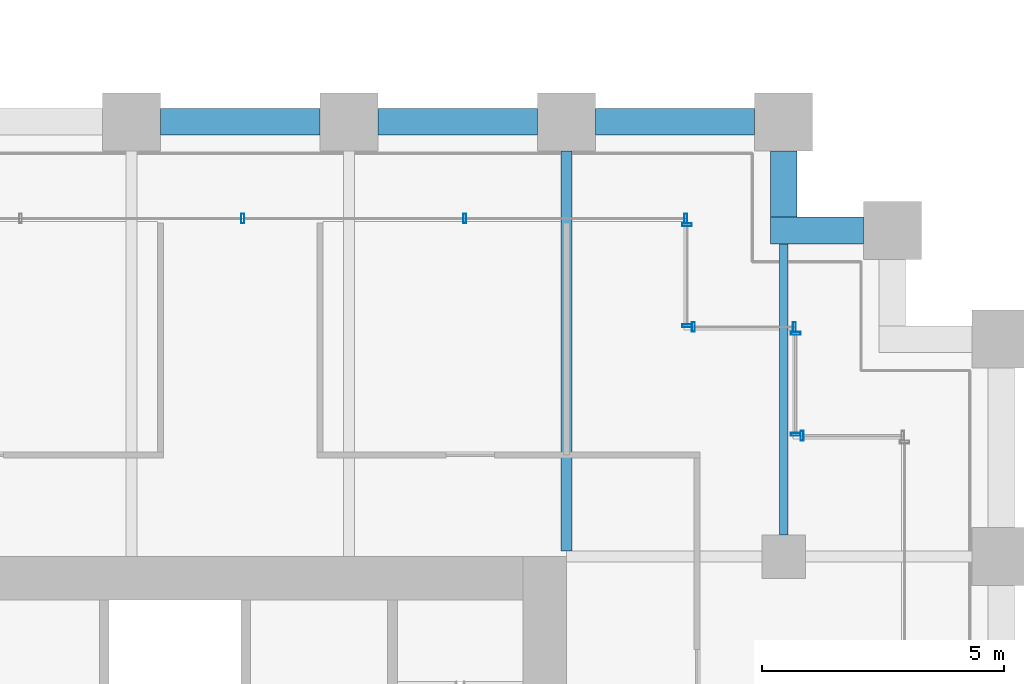
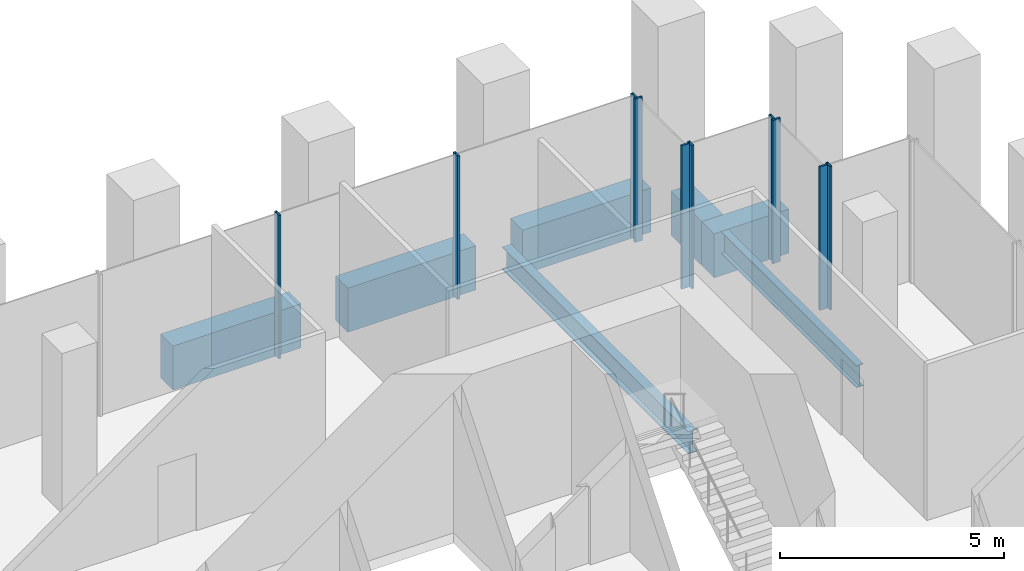
# One storey, part 25 of 36: 10 members, 7 beams, 5 elements without a shape of their own.
"""IFC4 building model written with IfcOpenShell, lengths in metres."""

import ifcopenshell
import ifcopenshell.guid

model = None  # the IFC model being written
_history = None  # IfcOwnerHistory: only IFC2X3 demands one
_inside = {}  # id of a spatial element -> (the spatial element, [elements in it])
_under = {}  # id of a project, library or spatial element -> (it, [spatial elements below it])
_declared = {}  # id of a project -> (the project, [libraries it declares])
_typed = {}  # id of a type object -> (the type object, [elements of that type])
_made_of = {}  # id of a material, layer set ... -> (it, [elements and type objects made of it])


def new_model(schema):
    """Start an empty IFC model of exactly this schema.

    Asked for "IFC4X3", IfcOpenShell would pick the latest addendum, in which some entities
    have other attributes; the version numbers below select the first issue.
    IFC2X3 requires an IfcOwnerHistory on every rooted entity: one is made here for all.
    """
    global model, _history
    if schema == "IFC4X3":
        model = ifcopenshell.file(schema_version=(4, 3, 0, 0))
    else:
        model = ifcopenshell.file(schema=schema)
    _inside.clear()
    _under.clear()
    _declared.clear()
    _typed.clear()
    _made_of.clear()
    _history = None
    if model.schema == "IFC2X3":
        org = make("IfcOrganization", Name="unknown")
        user = make(
            "IfcPersonAndOrganization",
            ThePerson=make("IfcPerson", FamilyName="unknown"),
            TheOrganization=org,
        )
        app = make(
            "IfcApplication",
            ApplicationDeveloper=org,
            Version="unknown",
            ApplicationFullName="unknown",
            ApplicationIdentifier="unknown",
        )
        _history = make(
            "IfcOwnerHistory",
            OwningUser=user,
            OwningApplication=app,
            ChangeAction="ADDED",
            CreationDate=0,
        )
    return model


def make(cls, **values):
    """One entity of the class cls with the attributes given. An attribute that is None is left unset."""
    return model.create_entity(
        cls, **{name: value for name, value in values.items() if value is not None}
    )


def rooted(cls, **values):
    """An entity with a GlobalId (a new one), such as an element, a storey or a relation."""
    return make(cls, GlobalId=ifcopenshell.guid.new(), OwnerHistory=_history, **values)


def si_unit(unit_type, name, prefix=None):
    """IfcSIUnit, for example si_unit("LENGTHUNIT", "METRE", prefix="MILLI")."""
    return make("IfcSIUnit", UnitType=unit_type, Prefix=prefix, Name=name)


def assignment(units):
    """IfcUnitAssignment: the units of a project."""
    return None if units is None else make("IfcUnitAssignment", Units=units)


def point(xyz):
    """IfcCartesianPoint."""
    return None if xyz is None else make("IfcCartesianPoint", Coordinates=xyz)


def direction(xyz):
    """IfcDirection."""
    return None if xyz is None else make("IfcDirection", DirectionRatios=xyz)


def frame(location, z_axis=None, x_axis=None):
    """IfcAxis2Placement3D, a coordinate frame: its origin and axes. An axis left out is left unset."""
    return make(
        "IfcAxis2Placement3D",
        Location=point(location),
        Axis=direction(z_axis),
        RefDirection=direction(x_axis),
    )


def frame_2d(location, x_axis=None):
    """IfcAxis2Placement2D, a coordinate frame in the plane: its origin and x axis."""
    return make(
        "IfcAxis2Placement2D", Location=point(location), RefDirection=direction(x_axis)
    )


def origin():
    """The frame at (0, 0, 0) with its axes left unset."""
    return frame((0.0, 0.0, 0.0))


def origin_2d():
    """The frame at (0, 0) in the plane with its x axis left unset."""
    return frame_2d((0.0, 0.0))


def place(relative_to, where):
    """IfcLocalPlacement: puts the frame where relative to a parent placement (None: the world)."""
    return make(
        "IfcLocalPlacement", PlacementRelTo=relative_to, RelativePlacement=where
    )


def context(
    kind, dimensions, precision=None, world=None, true_north=None, identifier=None
):
    """IfcGeometricRepresentationContext, for example the 3D "Model" context."""
    return make(
        "IfcGeometricRepresentationContext",
        ContextIdentifier=identifier,
        ContextType=kind,
        CoordinateSpaceDimension=dimensions,
        Precision=precision,
        WorldCoordinateSystem=world,
        TrueNorth=true_north,
    )


def subcontext(parent, identifier, kind, view, scale=None):
    """IfcGeometricRepresentationSubContext, for example "Body" below "Model"."""
    return make(
        "IfcGeometricRepresentationSubContext",
        ContextIdentifier=identifier,
        ContextType=kind,
        ParentContext=parent,
        TargetScale=scale,
        TargetView=view,
    )


def project(units=None, contexts=None):
    """IfcProject with its units and contexts."""
    return rooted(
        "IfcProject",
        Name="project",
        RepresentationContexts=contexts,
        UnitsInContext=assignment(units),
    )


def spatial(cls, under=None, at=None, **own):
    """A site, building, storey or space (cls), placed at a placement, below another one or the project."""
    s = rooted(cls, ObjectPlacement=at, **own)
    if under is not None:
        _under.setdefault(under.id(), (under, []))[1].append(s)
    return s


def profile(cls, at=None, kind="AREA", **sizes):
    """A parametric profile (cls). Its sizes go by their IFC names, for example OverallWidth=200.0."""
    return make(cls, ProfileType=kind, Position=at, **sizes)


def rectangle(**sizes):
    """IfcRectangleProfileDef."""
    return profile("IfcRectangleProfileDef", **sizes)


def hollow_rectangle(**sizes):
    """IfcRectangleHollowProfileDef."""
    return profile("IfcRectangleHollowProfileDef", **sizes)


def i_section(**sizes):
    """IfcIShapeProfileDef."""
    return profile("IfcIShapeProfileDef", **sizes)


def extrude(swept, where, along, depth):
    """IfcExtrudedAreaSolid: the profile swept, set in the frame where, extruded along a direction by depth."""
    return make(
        "IfcExtrudedAreaSolid",
        SweptArea=swept,
        Position=where,
        ExtrudedDirection=direction(along),
        Depth=depth,
    )


def shape(context_of_items, identifier, shape_type, items):
    """IfcShapeRepresentation: the items that make up one representation, for example the "Body"."""
    return make(
        "IfcShapeRepresentation",
        ContextOfItems=context_of_items,
        RepresentationIdentifier=identifier,
        RepresentationType=shape_type,
        Items=items,
    )


def material(Name=None, Category=None):
    """IfcMaterial."""
    return make("IfcMaterial", Name=Name, Category=Category)


def material_profile(
    of_material, cross_section, Name=None, Category=None, Priority=None
):
    """IfcMaterialProfile: a cross section and its material."""
    return make(
        "IfcMaterialProfile",
        Name=Name,
        Material=of_material,
        Profile=cross_section,
        Priority=Priority,
        Category=Category,
    )


def profile_set(profiles, Name=None, composite=None):
    """IfcMaterialProfileSet."""
    return make(
        "IfcMaterialProfileSet",
        Name=Name,
        MaterialProfiles=profiles,
        CompositeProfile=composite,
    )


def made_of(thing, what):
    """Note that an element or type object is made of a material, layer set ...; save() writes the relation."""
    if what is not None:
        _made_of.setdefault(what.id(), (what, []))[1].append(thing)
    return thing


def type_object(cls, material=None, **own):
    """A type object (cls), such as IfcWallType, which elements share."""
    return made_of(rooted(cls, **own), material)


def element(
    cls,
    number,
    at=None,
    inside=None,
    cuts=None,
    type_object=None,
    material=None,
    context=None,
    identifier="Body",
    shape_type=None,
    held_by="IfcProductDefinitionShape",
    body=None,
    shapes=None,
    **own,
):
    """One element of the class cls, such as IfcWall. Its Tag is "e" and its number.

    at: its placement. inside: the storey or other place that contains it. cuts: it is an
    opening in that element (IfcRelVoidsElement). A single representation is given by context,
    identifier, shape_type and body (its items); several are given by shapes. held_by: the class
    of the entity that holds the representations. save() writes the other relations.
    """
    e = rooted(cls, Tag="e%d" % number, ObjectPlacement=at, **own)
    if body is not None:
        shapes = [shape(context, identifier, shape_type, body)]
    if shapes is not None:
        e.Representation = make(held_by, Representations=shapes)
    if inside is not None:
        _inside.setdefault(inside.id(), (inside, []))[1].append(e)
    if cuts is not None:
        rooted(
            "IfcRelVoidsElement", RelatingBuildingElement=cuts, RelatedOpeningElement=e
        )
    if type_object is not None:
        _typed.setdefault(type_object.id(), (type_object, []))[1].append(e)
    return made_of(e, material)


def aggregate(whole, parts):
    """IfcRelAggregates: a whole, such as a stair, and the parts it consists of."""
    return rooted("IfcRelAggregates", RelatingObject=whole, RelatedObjects=parts)


def save(model, path):
    """Write the relations noted so far, then the file.

    IfcRelAggregates (storeys below a building ...), IfcRelContainedInSpatialStructure (elements
    in a storey), IfcRelDefinesByType, IfcRelAssociatesMaterial and IfcRelDeclares: one each for
    every whole, place, type object, material and project.
    """
    for whole, parts in _under.values():
        aggregate(whole, parts)
    for where, things in _inside.values():
        rooted(
            "IfcRelContainedInSpatialStructure",
            RelatedElements=things,
            RelatingStructure=where,
        )
    for kind, things in _typed.values():
        rooted("IfcRelDefinesByType", RelatedObjects=things, RelatingType=kind)
    for what, things in _made_of.values():
        rooted("IfcRelAssociatesMaterial", RelatedObjects=things, RelatingMaterial=what)
    for by, libraries in _declared.values():
        rooted("IfcRelDeclares", RelatingContext=by, RelatedDefinitions=libraries)
    model.write(path)


model = new_model("IFC4")

# Units and contexts
model_context = context("Model", 3, precision=1e-05, world=origin(), true_north=direction((0.0, 1.0)))
body_context = subcontext(model_context, "Body", "Model", "MODEL_VIEW")
ifc_project = project(units=[si_unit("LENGTHUNIT", "METRE"), si_unit("AREAUNIT", "SQUARE_METRE"), si_unit("VOLUMEUNIT", "CUBIC_METRE"), si_unit("PLANEANGLEUNIT", "RADIAN"), si_unit("MASSUNIT", "GRAM", prefix="KILO")], contexts=[model_context])

# Site, building, storey
site_placement = place(None, origin())
site = spatial("IfcSite", under=ifc_project, at=site_placement, CompositionType="ELEMENT")
building_placement = place(site_placement, origin())
building = spatial("IfcBuilding", under=site, at=building_placement, Name="Altepetl Exchange Towers", CompositionType="ELEMENT")
storey_placement = place(building_placement, frame((0.0, 0.0, 43.0)))
storey = spatial("IfcBuildingStorey", under=building, at=storey_placement, Name="L09", CompositionType="ELEMENT", Elevation=43.0)

# Beams
ifc_material_1 = material(Name="Steel S355", Category="steel")
ifc_material_profile_1 = material_profile(ifc_material_1, i_section(OverallWidth=0.178955078125, OverallDepth=0.60302734375, WebThickness=0.010986328125, FlangeThickness=0.014892578125, at=origin_2d()), Name="W24X62")
ifc_profile_set_1 = profile_set([ifc_material_profile_1], Name="Steel S355")
beam_type_1 = type_object("IfcBeamType", Name="Floor beam W24X62", PredefinedType="BEAM", material=ifc_profile_set_1)
beam_1_placement = place(storey_placement, frame((121.5, 49.949951171875, -0.4765625), z_axis=(0.0, 1.0, 0.0), x_axis=(-1.0, 0.0, 0.0)))
element("IfcBeam", 1, at=beam_1_placement, inside=storey, type_object=beam_type_1, Name="bm:B:L09:003", PredefinedType="BEAM", context=body_context, shape_type="SweptSolid", body=[
    extrude(i_section(OverallWidth=0.178955078125, OverallDepth=0.60302734375, WebThickness=0.010986328125, FlangeThickness=0.014892578125, at=origin_2d()), origin(), (0.0, 0.0, 1.0), 6.025146484375),
])
ifc_material_profile_2 = material_profile(ifc_material_1, i_section(OverallWidth=0.22900390625, OverallDepth=0.612060546875, WebThickness=0.011962890625, FlangeThickness=0.01953125, at=origin_2d()), Name="W24X84")
ifc_profile_set_2 = profile_set([ifc_material_profile_2], Name="Steel S355")
beam_type_2 = type_object("IfcBeamType", Name="Floor beam W24X84", PredefinedType="BEAM", material=ifc_profile_set_2)
beam_2_placement = place(storey_placement, frame((117.0, 49.614013671875, -0.48095703125), z_axis=(0.0, 1.0, 0.0), x_axis=(-1.0, 0.0, 0.0)))
element("IfcBeam", 2, at=beam_2_placement, inside=storey, type_object=beam_type_2, Name="bm:B:L09:002", PredefinedType="BEAM", context=body_context, shape_type="SweptSolid", body=[
    extrude(i_section(OverallWidth=0.22900390625, OverallDepth=0.612060546875, WebThickness=0.011962890625, FlangeThickness=0.01953125, at=origin_2d()), origin(), (0.0, 0.0, 1.0), 8.285888671875),
])

# Curtain wall, member
ifc_material_2 = material(Name="Aluminium 6063-T6 glazing", Category="aluminium")
curtain_wall_type = type_object("IfcCurtainWallType", Name="Trading floor glazing system", PredefinedType="NOTDEFINED", material=ifc_material_2)
curtain_wall_1_placement = place(storey_placement, origin())
curtain_wall_1 = element("IfcCurtainWall", 3, at=curtain_wall_1_placement, inside=storey, type_object=curtain_wall_type, Name="CW2 run", PredefinedType="NOTDEFINED")
ifc_material_3 = material(Name="Aluminium 6063-T6", Category="aluminium")
ifc_material_profile_3 = material_profile(ifc_material_3, hollow_rectangle(XDim=0.06005859375, YDim=0.199951171875, WallThickness=0.0029296875, at=origin_2d()), Name="Mullion 60x200 aluminium")
ifc_profile_set_3 = profile_set([ifc_material_profile_3], Name="Aluminium 6063-T6")
member_type = type_object("IfcMemberType", Name="Mullion 60x200 aluminium", PredefinedType="MULLION", material=ifc_profile_set_3)
member_1_placement = place(storey_placement, frame((121.8798828125, 52.0, 0.0), z_axis=(0.0, 0.0, 1.0), x_axis=(-1.0, 0.0, 0.0)))
member_1 = element("IfcMember", 4, at=member_1_placement, type_object=member_type, Name="MU2 mullion", PredefinedType="MULLION", context=body_context, shape_type="SweptSolid", body=[
    extrude(hollow_rectangle(XDim=0.06005859375, YDim=0.199951171875, WallThickness=0.0029296875, at=origin_2d()), origin(), (0.0, 0.0, 1.0), 3.89990234375),
])
aggregate(curtain_wall_1, [member_1])

# Curtain wall, members
curtain_wall_2_placement = place(storey_placement, origin())
curtain_wall_2 = element("IfcCurtainWall", 5, at=curtain_wall_2_placement, inside=storey, type_object=curtain_wall_type, Name="CW2 run", PredefinedType="NOTDEFINED")
member_2_placement = place(storey_placement, frame((121.75, 52.030029296875, 0.0), z_axis=(0.0, 0.0, 1.0), x_axis=(0.0, 1.0, 0.0)))
member_2 = element("IfcMember", 6, at=member_2_placement, type_object=member_type, Name="MU2 mullion", PredefinedType="MULLION", context=body_context, shape_type="SweptSolid", body=[
    extrude(hollow_rectangle(XDim=0.06005859375, YDim=0.199951171875, WallThickness=0.0029296875, at=origin_2d()), origin(), (0.0, 0.0, 1.0), 3.89990234375),
])
member_3_placement = place(storey_placement, frame((121.75, 54.1201171875, 0.0), z_axis=(0.0, 0.0, 1.0), x_axis=(0.0, 1.0, 0.0)))
member_3 = element("IfcMember", 7, at=member_3_placement, type_object=member_type, Name="MU2 mullion", PredefinedType="MULLION", context=body_context, shape_type="SweptSolid", body=[
    extrude(hollow_rectangle(XDim=0.06005859375, YDim=0.199951171875, WallThickness=0.0029296875, at=origin_2d()), origin(), (0.0, 0.0, 1.0), 3.89990234375),
])
aggregate(curtain_wall_2, [member_2, member_3])

curtain_wall_3_placement = place(storey_placement, origin())
curtain_wall_3 = element("IfcCurtainWall", 8, at=curtain_wall_3_placement, inside=storey, type_object=curtain_wall_type, Name="CW2 run", PredefinedType="NOTDEFINED")
member_4_placement = place(storey_placement, frame((121.719970703125, 54.25, 0.0), z_axis=(0.0, 0.0, 1.0), x_axis=(-1.0, 0.0, 0.0)))
member_4 = element("IfcMember", 9, at=member_4_placement, type_object=member_type, Name="MU2 mullion", PredefinedType="MULLION", context=body_context, shape_type="SweptSolid", body=[
    extrude(hollow_rectangle(XDim=0.06005859375, YDim=0.199951171875, WallThickness=0.0029296875, at=origin_2d()), origin(), (0.0, 0.0, 1.0), 3.89990234375),
])
member_5_placement = place(storey_placement, frame((119.6298828125, 54.25, 0.0), z_axis=(0.0, 0.0, 1.0), x_axis=(-1.0, 0.0, 0.0)))
member_5 = element("IfcMember", 10, at=member_5_placement, type_object=member_type, Name="MU2 mullion", PredefinedType="MULLION", context=body_context, shape_type="SweptSolid", body=[
    extrude(hollow_rectangle(XDim=0.06005859375, YDim=0.199951171875, WallThickness=0.0029296875, at=origin_2d()), origin(), (0.0, 0.0, 1.0), 3.89990234375),
])
aggregate(curtain_wall_3, [member_4, member_5])

curtain_wall_4_placement = place(storey_placement, origin())
curtain_wall_4 = element("IfcCurtainWall", 11, at=curtain_wall_4_placement, inside=storey, type_object=curtain_wall_type, Name="CW2 run", PredefinedType="NOTDEFINED")
member_6_placement = place(storey_placement, frame((119.5, 54.280029296875, 0.0), z_axis=(0.0, 0.0, 1.0), x_axis=(0.0, 1.0, 0.0)))
member_6 = element("IfcMember", 12, at=member_6_placement, type_object=member_type, Name="MU2 mullion", PredefinedType="MULLION", context=body_context, shape_type="SweptSolid", body=[
    extrude(hollow_rectangle(XDim=0.06005859375, YDim=0.199951171875, WallThickness=0.0029296875, at=origin_2d()), origin(), (0.0, 0.0, 1.0), 3.89990234375),
])
member_7_placement = place(storey_placement, frame((119.5, 56.3701171875, 0.0), z_axis=(0.0, 0.0, 1.0), x_axis=(0.0, 1.0, 0.0)))
member_7 = element("IfcMember", 13, at=member_7_placement, type_object=member_type, Name="MU2 mullion", PredefinedType="MULLION", context=body_context, shape_type="SweptSolid", body=[
    extrude(hollow_rectangle(XDim=0.06005859375, YDim=0.199951171875, WallThickness=0.0029296875, at=origin_2d()), origin(), (0.0, 0.0, 1.0), 3.89990234375),
])
aggregate(curtain_wall_4, [member_6, member_7])

curtain_wall_5_placement = place(storey_placement, origin())
curtain_wall_5 = element("IfcCurtainWall", 14, at=curtain_wall_5_placement, inside=storey, type_object=curtain_wall_type, Name="CW2 run", PredefinedType="NOTDEFINED")
member_8_placement = place(storey_placement, frame((119.469970703125, 56.5, 0.0), z_axis=(0.0, 0.0, 1.0), x_axis=(-1.0, 0.0, 0.0)))
member_8 = element("IfcMember", 15, at=member_8_placement, type_object=member_type, Name="MU2 mullion", PredefinedType="MULLION", context=body_context, shape_type="SweptSolid", body=[
    extrude(hollow_rectangle(XDim=0.06005859375, YDim=0.199951171875, WallThickness=0.0029296875, at=origin_2d()), origin(), (0.0, 0.0, 1.0), 3.89990234375),
])
member_9_placement = place(storey_placement, frame((114.89990234375, 56.5, 0.0), z_axis=(0.0, 0.0, 1.0), x_axis=(-1.0, 0.0, 0.0)))
member_9 = element("IfcMember", 16, at=member_9_placement, type_object=member_type, Name="MU2 mullion", PredefinedType="MULLION", context=body_context, shape_type="SweptSolid", body=[
    extrude(hollow_rectangle(XDim=0.06005859375, YDim=0.199951171875, WallThickness=0.0029296875, at=origin_2d()), origin(), (0.0, 0.0, 1.0), 3.89990234375),
])
member_10_placement = place(storey_placement, frame((110.300048828125, 56.5, 0.0), z_axis=(0.0, 0.0, 1.0), x_axis=(-1.0, 0.0, 0.0)))
member_10 = element("IfcMember", 17, at=member_10_placement, type_object=member_type, Name="MU2 mullion", PredefinedType="MULLION", context=body_context, shape_type="SweptSolid", body=[
    extrude(hollow_rectangle(XDim=0.06005859375, YDim=0.199951171875, WallThickness=0.0029296875, at=origin_2d()), origin(), (0.0, 0.0, 1.0), 3.89990234375),
])
aggregate(curtain_wall_5, [member_8, member_9, member_10])

# Beams
ifc_material_4 = material(Name="Concrete C50/60 precast with cantera amarilla facing", Category="concrete")
ifc_material_profile_4 = material_profile(ifc_material_4, rectangle(XDim=0.550048828125, YDim=1.199951171875, at=origin_2d()), Name="550 x 1200")
ifc_profile_set_4 = profile_set([ifc_material_profile_4], Name="Concrete C50/60 precast with cantera amarilla facing")
beam_type_3 = type_object("IfcBeamType", Name="Spandrel beam 550x1200 cantera amarilla", PredefinedType="SPANDREL", material=ifc_profile_set_4)
beam_3_placement = place(storey_placement, frame((123.14990234375, 56.25, -0.77490234375), z_axis=(-1.0, 0.0, 0.0), x_axis=(0.0, -1.0, 0.0)))
element("IfcBeam", 18, at=beam_3_placement, inside=storey, type_object=beam_type_3, Name="sp:B:L09:016", PredefinedType="SPANDREL", context=body_context, shape_type="SweptSolid", body=[
    extrude(rectangle(XDim=0.550048828125, YDim=1.199951171875, at=origin_2d()), origin(), (0.0, 0.0, 1.0), 1.9248046875),
])
beam_4_placement = place(storey_placement, frame((121.5, 56.52490234375, -0.77490234375), z_axis=(0.0, 1.0, 0.0), x_axis=(-1.0, 0.0, 0.0)))
element("IfcBeam", 19, at=beam_4_placement, inside=storey, type_object=beam_type_3, Name="sp:B:L09:017", PredefinedType="SPANDREL", context=body_context, shape_type="SweptSolid", body=[
    extrude(rectangle(XDim=0.550048828125, YDim=1.199951171875, at=origin_2d()), origin(), (0.0, 0.0, 1.0), 1.375),
])
for number, where, z_axis, x_axis, name in (
    (20, (120.89990234375, 58.5, -0.77490234375), (-1.0, 0.0, 0.0), (0.0, -1.0, 0.0), "sp:B:L09:018"),
    (21, (116.39990234375, 58.5, -0.77490234375), (-1.0, 0.0, 0.0), (0.0, -1.0, 0.0), "sp:B:L09:019"),
    (22, (111.89990234375, 58.5, -0.77490234375), (-1.0, 0.0, 0.0), (0.0, -1.0, 0.0), "sp:B:L09:020"),
):
    element("IfcBeam", number, at=place(storey_placement, frame(where, z_axis=z_axis, x_axis=x_axis)), inside=storey, type_object=beam_type_3, Name=name, PredefinedType="SPANDREL", context=body_context, shape_type="SweptSolid", body=[
        extrude(rectangle(XDim=0.550048828125, YDim=1.199951171875, at=origin_2d()), origin(), (0.0, 0.0, 1.0), 3.2998046875),
    ])

save(model, "model.ifc")
